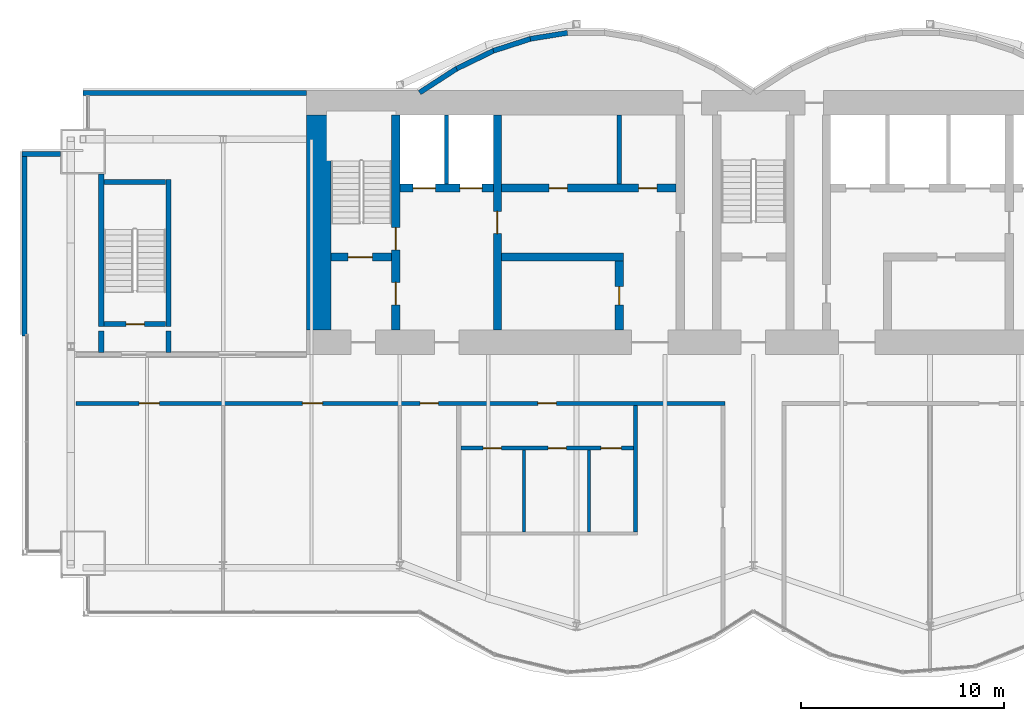
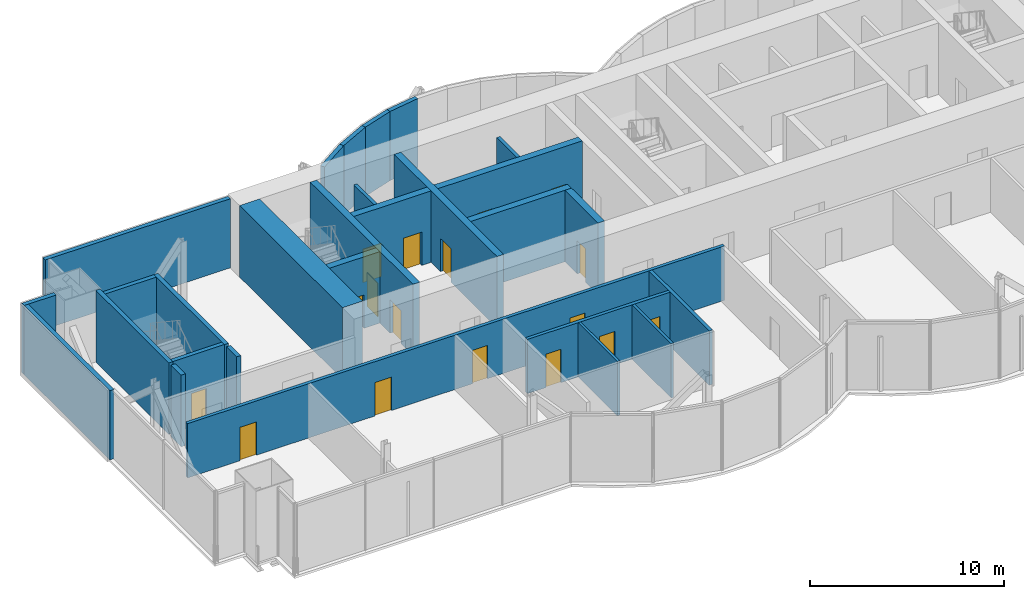
# One storey, part 11 of 17: 27 walls, 17 doors, 17 openings.
"""IFC4 building model written with IfcOpenShell, lengths in metres."""

from ifc_helpers import new_model, si_unit, direction, frame, frame_2d, origin, place, context, subcontext, project, spatial, rectangle, extrude, material, layer, layer_set, layer_usage, type_object, element, fill, save


model = new_model("IFC4")

# Units and contexts
model_context = context("Model", 3, precision=1e-05, world=origin(), true_north=direction((0.0, 1.0)))
body_context = subcontext(model_context, "Body", "Model", "MODEL_VIEW")
ifc_project = project(units=[si_unit("LENGTHUNIT", "METRE"), si_unit("AREAUNIT", "SQUARE_METRE"), si_unit("VOLUMEUNIT", "CUBIC_METRE"), si_unit("PLANEANGLEUNIT", "RADIAN"), si_unit("MASSUNIT", "GRAM", prefix="KILO")], contexts=[model_context])

# Site, building, storey
site_placement = place(None, origin())
site = spatial("IfcSite", under=ifc_project, at=site_placement, CompositionType="ELEMENT")
building_placement = place(site_placement, origin())
building = spatial("IfcBuilding", under=site, at=building_placement, Name="Bicima Exchange Tower", CompositionType="ELEMENT")
storey_placement = place(building_placement, frame((0.0, 0.0, 320.0)))
storey = spatial("IfcBuildingStorey", under=building, at=storey_placement, Name="L72", CompositionType="ELEMENT", Elevation=320.0)

# Wall
ifc_material_1 = material(Name="Gypsum board partition")
ifc_layer_1 = layer(ifc_material_1, 0.199951171875)
ifc_layer_set_1 = layer_set([ifc_layer_1], Name="Gypsum board partition")
wall_type_1 = type_object("IfcWallType", Name="Fire-rated gypsum partition 200 EI120", PredefinedType="PARTITIONING", material=ifc_layer_set_1)
wall_1_placement = place(storey_placement, frame((-15.10009765625, -4.60009765625, 0.0), z_axis=(0.0, 0.0, 1.0), x_axis=(0.0, 1.0, 0.0)))
element("IfcWall", 1, at=wall_1_placement, inside=storey, type_object=wall_type_1, Name="partition wall 9", PredefinedType="PARTITIONING", context=body_context, shape_type="SweptSolid", body=[
    extrude(rectangle(XDim=3.400146484375, YDim=0.199951171875, at=frame_2d((1.7001953125, 0.0))), origin(), (0.0, 0.0, 1.0), 3.418212890625),
])

# Wall, openings, doors
ifc_layer_2 = layer(ifc_material_1, 0.199951171875)
ifc_layer_set_2 = layer_set([ifc_layer_2], Name="Gypsum board partition")
wall_type_2 = type_object("IfcWallType", Name="Fire-rated gypsum partition 200 EI60", PredefinedType="PARTITIONING", material=ifc_layer_set_2)
wall_2_placement = place(storey_placement, frame((-14.39990234375, -17.60009765625, 0.0), z_axis=(0.0, 0.0, 1.0), x_axis=(1.0, 0.0, 0.0)))
wall_2 = element("IfcWall", 2, at=wall_2_placement, inside=storey, type_object=wall_type_2, Name="partition wall 2", PredefinedType="PARTITIONING", context=body_context, shape_type="SweptSolid", body=[
    extrude(rectangle(XDim=8.5, YDim=0.199951171875, at=frame_2d((4.25, 0.0))), origin(), (0.0, 0.0, 1.0), 3.418212890625),
])
opening_1_placement = place(wall_2_placement, frame((1.10009765625, 0.0, 0.0)))
opening_1 = element("IfcOpeningElement", 3, at=opening_1_placement, cuts=wall_2, Name="Opening L72-011", PredefinedType="OPENING", context=body_context, shape_type="SweptSolid", body=[
    extrude(rectangle(XDim=0.89990234375, YDim=2.10009765625, at=frame_2d((0.449951171875, 1.050048828125))), frame((0.0, 0.11181640625, 0.0), z_axis=(0.0, -1.0, 0.0), x_axis=(1.0, 0.0, 0.0)), (0.0, 0.0, 1.0), 0.223876953125),
])
opening_2_placement = place(wall_2_placement, frame((4.300048828125, 0.0, 0.0)))
opening_2 = element("IfcOpeningElement", 4, at=opening_2_placement, cuts=wall_2, Name="Opening L72-012", PredefinedType="OPENING", context=body_context, shape_type="SweptSolid", body=[
    extrude(rectangle(XDim=0.89990234375, YDim=2.10009765625, at=frame_2d((0.449951171875, 1.050048828125))), frame((0.0, 0.11181640625, 0.0), z_axis=(0.0, -1.0, 0.0), x_axis=(1.0, 0.0, 0.0)), (0.0, 0.0, 1.0), 0.223876953125),
])
opening_3_placement = place(wall_2_placement, frame((6.89990234375, 0.0, 0.0)))
opening_3 = element("IfcOpeningElement", 5, at=opening_3_placement, cuts=wall_2, Name="Opening L72-013", PredefinedType="OPENING", context=body_context, shape_type="SweptSolid", body=[
    extrude(rectangle(XDim=1.0, YDim=2.10009765625, at=frame_2d((0.5, 1.050048828125))), frame((0.0, 0.11181640625, 0.0), z_axis=(0.0, -1.0, 0.0), x_axis=(1.0, 0.0, 0.0)), (0.0, 0.0, 1.0), 0.223876953125),
])
ifc_material_2 = material(Name="Steel fire door leaf", Category="steel")
door_type_1 = type_object("IfcDoorType", Name="Door 1000 swing FD30S", OperationType="SINGLE_SWING_LEFT", PredefinedType="DOOR", material=ifc_material_2)
door_1_placement = place(opening_3_placement, frame((1.0, 0.0, 0.0), z_axis=(0.0, 0.0, 1.0), x_axis=(-1.0, 0.0, 0.0)))
door_1 = element("IfcDoor", 6, at=door_1_placement, inside=storey, type_object=door_type_1, Name="Door", OperationType="SINGLE_SWING_LEFT", OverallHeight=2.10009765625, OverallWidth=1.0, PredefinedType="DOOR", context=body_context, shape_type="SweptSolid", body=[
    extrude(rectangle(XDim=1.0, YDim=2.10009765625, at=frame_2d((0.5, 1.050048828125))), frame((0.0, 0.02490234375, 0.0), z_axis=(0.0, -1.0, 0.0), x_axis=(1.0, 0.0, 0.0)), (0.0, 0.0, 1.0), 0.050048828125),
])
fill(opening_3, door_1)
door_type_2 = type_object("IfcDoorType", Name="Door 900 swing FD30S", OperationType="SINGLE_SWING_LEFT", PredefinedType="DOOR", material=ifc_material_2)
door_2_placement = place(opening_1_placement, frame((0.89990234375, 0.0, 0.0), z_axis=(0.0, 0.0, 1.0), x_axis=(-1.0, 0.0, 0.0)))
door_2 = element("IfcDoor", 7, at=door_2_placement, inside=storey, type_object=door_type_2, Name="Door", OperationType="SINGLE_SWING_RIGHT", OverallHeight=2.10009765625, OverallWidth=0.89990234375, PredefinedType="DOOR", context=body_context, shape_type="SweptSolid", body=[
    extrude(rectangle(XDim=0.89990234375, YDim=2.10009765625, at=frame_2d((0.449951171875, 1.050048828125))), frame((0.0, 0.02490234375, 0.0), z_axis=(0.0, -1.0, 0.0), x_axis=(1.0, 0.0, 0.0)), (0.0, 0.0, 1.0), 0.050048828125),
])
fill(opening_1, door_2)
door_3_placement = place(opening_2_placement, frame((0.89990234375, 0.0, 0.0), z_axis=(0.0, 0.0, 1.0), x_axis=(-1.0, 0.0, 0.0)))
door_3 = element("IfcDoor", 8, at=door_3_placement, inside=storey, type_object=door_type_2, Name="Door", OperationType="SINGLE_SWING_RIGHT", OverallHeight=2.10009765625, OverallWidth=0.89990234375, PredefinedType="DOOR", context=body_context, shape_type="SweptSolid", body=[
    extrude(rectangle(XDim=0.89990234375, YDim=2.10009765625, at=frame_2d((0.449951171875, 1.050048828125))), frame((0.0, 0.02490234375, 0.0), z_axis=(0.0, -1.0, 0.0), x_axis=(1.0, 0.0, 0.0)), (0.0, 0.0, 1.0), 0.050048828125),
])
fill(opening_2, door_3)

wall_3_placement = place(storey_placement, frame((-33.340087890625, -15.39990234375, 0.0), z_axis=(0.0, 0.0, 1.0), x_axis=(1.0, 0.0, 0.0)))
wall_3 = element("IfcWall", 9, at=wall_3_placement, inside=storey, type_object=wall_type_2, Name="partition wall 3", PredefinedType="PARTITIONING", context=body_context, shape_type="SweptSolid", body=[
    extrude(rectangle(XDim=31.940185546875, YDim=0.199951171875, at=frame_2d((15.97021484375, 0.0))), origin(), (0.0, 0.0, 1.0), 3.418212890625),
])
opening_4_placement = place(wall_3_placement, frame((3.10009765625, 0.0, 0.0)))
opening_4 = element("IfcOpeningElement", 10, at=opening_4_placement, cuts=wall_3, Name="Opening L72-007", PredefinedType="OPENING", context=body_context, shape_type="SweptSolid", body=[
    extrude(rectangle(XDim=1.0, YDim=2.10009765625, at=frame_2d((0.5, 1.050048828125))), frame((0.0, 0.11181640625, 0.0), z_axis=(0.0, -1.0, 0.0), x_axis=(1.0, 0.0, 0.0)), (0.0, 0.0, 1.0), 0.223876953125),
])
opening_5_placement = place(wall_3_placement, frame((11.139892578125, 0.0, 0.0)))
opening_5 = element("IfcOpeningElement", 11, at=opening_5_placement, cuts=wall_3, Name="Opening L72-008", PredefinedType="OPENING", context=body_context, shape_type="SweptSolid", body=[
    extrude(rectangle(XDim=1.0, YDim=2.10009765625, at=frame_2d((0.5, 1.050048828125))), frame((0.0, 0.11181640625, 0.0), z_axis=(0.0, -1.0, 0.0), x_axis=(1.0, 0.0, 0.0)), (0.0, 0.0, 1.0), 0.223876953125),
])
opening_6_placement = place(wall_3_placement, frame((16.93994140625, 0.0, 0.0)))
opening_6 = element("IfcOpeningElement", 12, at=opening_6_placement, cuts=wall_3, Name="Opening L72-009", PredefinedType="OPENING", context=body_context, shape_type="SweptSolid", body=[
    extrude(rectangle(XDim=0.89990234375, YDim=2.10009765625, at=frame_2d((0.449951171875, 1.050048828125))), frame((0.0, 0.11181640625, 0.0), z_axis=(0.0, -1.0, 0.0), x_axis=(1.0, 0.0, 0.0)), (0.0, 0.0, 1.0), 0.223876953125),
])
opening_7_placement = place(wall_3_placement, frame((22.739990234375, 0.0, 0.0)))
opening_7 = element("IfcOpeningElement", 13, at=opening_7_placement, cuts=wall_3, Name="Opening L72-010", PredefinedType="OPENING", context=body_context, shape_type="SweptSolid", body=[
    extrude(rectangle(XDim=0.89990234375, YDim=2.10009765625, at=frame_2d((0.449951171875, 1.050048828125))), frame((0.0, 0.11181640625, 0.0), z_axis=(0.0, -1.0, 0.0), x_axis=(1.0, 0.0, 0.0)), (0.0, 0.0, 1.0), 0.223876953125),
])
door_4_placement = place(opening_4_placement, frame((1.0, 0.0, 0.0), z_axis=(0.0, 0.0, 1.0), x_axis=(-1.0, 0.0, 0.0)))
door_4 = element("IfcDoor", 14, at=door_4_placement, inside=storey, type_object=door_type_1, Name="Door", OperationType="SINGLE_SWING_LEFT", OverallHeight=2.10009765625, OverallWidth=1.0, PredefinedType="DOOR", context=body_context, shape_type="SweptSolid", body=[
    extrude(rectangle(XDim=1.0, YDim=2.10009765625, at=frame_2d((0.5, 1.050048828125))), frame((0.0, 0.02490234375, 0.0), z_axis=(0.0, -1.0, 0.0), x_axis=(1.0, 0.0, 0.0)), (0.0, 0.0, 1.0), 0.050048828125),
])
fill(opening_4, door_4)
door_5_placement = place(opening_5_placement, frame((1.0, 0.0, 0.0), z_axis=(0.0, 0.0, 1.0), x_axis=(-1.0, 0.0, 0.0)))
door_5 = element("IfcDoor", 15, at=door_5_placement, inside=storey, type_object=door_type_1, Name="Door", OperationType="SINGLE_SWING_RIGHT", OverallHeight=2.10009765625, OverallWidth=1.0, PredefinedType="DOOR", context=body_context, shape_type="SweptSolid", body=[
    extrude(rectangle(XDim=1.0, YDim=2.10009765625, at=frame_2d((0.5, 1.050048828125))), frame((0.0, 0.02490234375, 0.0), z_axis=(0.0, -1.0, 0.0), x_axis=(1.0, 0.0, 0.0)), (0.0, 0.0, 1.0), 0.050048828125),
])
fill(opening_5, door_5)
door_6_placement = place(opening_6_placement, frame((0.89990234375, 0.0, 0.0), z_axis=(0.0, 0.0, 1.0), x_axis=(-1.0, 0.0, 0.0)))
door_6 = element("IfcDoor", 16, at=door_6_placement, inside=storey, type_object=door_type_2, Name="Door", OperationType="SINGLE_SWING_RIGHT", OverallHeight=2.10009765625, OverallWidth=0.89990234375, PredefinedType="DOOR", context=body_context, shape_type="SweptSolid", body=[
    extrude(rectangle(XDim=0.89990234375, YDim=2.10009765625, at=frame_2d((0.449951171875, 1.050048828125))), frame((0.0, 0.02490234375, 0.0), z_axis=(0.0, -1.0, 0.0), x_axis=(1.0, 0.0, 0.0)), (0.0, 0.0, 1.0), 0.050048828125),
])
fill(opening_6, door_6)
door_7_placement = place(opening_7_placement, frame((0.89990234375, 0.0, 0.0), z_axis=(0.0, 0.0, 1.0), x_axis=(-1.0, 0.0, 0.0)))
door_7 = element("IfcDoor", 17, at=door_7_placement, inside=storey, type_object=door_type_2, Name="Door", OperationType="SINGLE_SWING_LEFT", OverallHeight=2.10009765625, OverallWidth=0.89990234375, PredefinedType="DOOR", context=body_context, shape_type="SweptSolid", body=[
    extrude(rectangle(XDim=0.89990234375, YDim=2.10009765625, at=frame_2d((0.449951171875, 1.050048828125))), frame((0.0, 0.02490234375, 0.0), z_axis=(0.0, -1.0, 0.0), x_axis=(1.0, 0.0, 0.0)), (0.0, 0.0, 1.0), 0.050048828125),
])
fill(opening_7, door_7)

# Walls
wall_4_placement = place(storey_placement, frame((-5.800048828125, -21.72509765625, 0.0), z_axis=(0.0, 0.0, 1.0), x_axis=(0.0, 1.0, 0.0)))
element("IfcWall", 18, at=wall_4_placement, inside=storey, type_object=wall_type_2, Name="partition wall 18", PredefinedType="PARTITIONING", context=body_context, shape_type="SweptSolid", body=[
    extrude(rectangle(XDim=6.22509765625, YDim=0.199951171875, at=frame_2d((3.112548828125, 0.0))), origin(), (0.0, 0.0, 1.0), 3.418212890625),
])
wall_5_placement = place(storey_placement, frame((-6.60009765625, -4.60009765625, 0.0), z_axis=(0.0, 0.0, 1.0), x_axis=(0.0, 1.0, 0.0)))
element("IfcWall", 19, at=wall_5_placement, inside=storey, type_object=wall_type_2, Name="partition wall 12", PredefinedType="PARTITIONING", context=body_context, shape_type="SweptSolid", body=[
    extrude(rectangle(XDim=3.400146484375, YDim=0.199951171875, at=frame_2d((1.7001953125, 0.0))), origin(), (0.0, 0.0, 1.0), 3.418212890625),
])
ifc_layer_3 = layer(ifc_material_1, 0.14990234375)
ifc_layer_set_3 = layer_set([ifc_layer_3], Name="Gypsum board partition")
wall_type_3 = type_object("IfcWallType", Name="Gypsum partition 150", PredefinedType="PARTITIONING", material=ifc_layer_set_3)
for number, where, z_axis, x_axis, name in (
    (20, (-11.300048828125, -21.72509765625, 0.0), (0.0, 0.0, 1.0), (0.0, 1.0, 0.0), "partition wall 16"),
    (21, (-8.10009765625, -21.72509765625, 0.0), (0.0, 0.0, 1.0), (0.0, 1.0, 0.0), "partition wall 17"),
):
    element("IfcWall", number, at=place(storey_placement, frame(where, z_axis=z_axis, x_axis=x_axis)), inside=storey, type_object=wall_type_3, Name=name, PredefinedType="PARTITIONING", context=body_context, shape_type="SweptSolid", body=[
        extrude(rectangle(XDim=4.025146484375, YDim=0.14990234375, at=frame_2d((2.0126953125, 0.0))), origin(), (0.0, 0.0, 1.0), 3.418212890625),
    ])
ifc_material_3 = material(Name="Concrete C40/50", Category="concrete")
ifc_layer_4 = layer(ifc_material_3, 1.199951171875)
ifc_layer_set_4 = layer_set([ifc_layer_4], Name="Concrete C40/50")
wall_type_4 = type_object("IfcWallType", Name="RC core wall 1200 C40/50", PredefinedType="SHEAR", material=ifc_layer_set_4)
wall_6_placement = place(storey_placement, frame((-21.39990234375, -11.800048828125, 0.0), z_axis=(0.0, 0.0, 1.0), x_axis=(0.0, 1.0, 0.0)))
element("IfcWall", 22, at=wall_6_placement, inside=storey, type_object=wall_type_4, Name="Core wall west", PredefinedType="SHEAR", context=body_context, shape_type="SweptSolid", body=[
    extrude(rectangle(XDim=10.60009765625, YDim=1.199951171875, at=frame_2d((5.300048828125, 0.0))), origin(), (0.0, 0.0, 1.0), 4.5),
])
ifc_material_4 = material(Name="Concrete C50/60", Category="concrete")
ifc_layer_5 = layer(ifc_material_4, 0.25)
ifc_layer_set_5 = layer_set([ifc_layer_5], Name="Concrete C50/60")
wall_type_5 = type_object("IfcWallType", Name="RC core wall 250 C50/60", PredefinedType="SHEAR", material=ifc_layer_set_5)
for number, where, z_axis, x_axis, name in (
    (23, (-32.10009765625, -12.89990234375, 0.0), (0.0, 0.0, 1.0), (0.0, 1.0, 0.0), "stair wall 11"),
    (24, (-28.800048828125, -12.89990234375, 0.0), (0.0, 0.0, 1.0), (0.0, 1.0, 0.0), "stair wall 12"),
):
    element("IfcWall", number, at=place(storey_placement, frame(where, z_axis=z_axis, x_axis=x_axis)), inside=storey, type_object=wall_type_5, Name=name, PredefinedType="SHEAR", context=body_context, shape_type="SweptSolid", body=[
        extrude(rectangle(XDim=1.0498046875, YDim=0.25, at=frame_2d((0.52490234375, 0.0))), origin(), (0.0, 0.0, 1.0), 4.5),
    ])
ifc_layer_6 = layer(ifc_material_3, 0.39990234375)
ifc_layer_set_6 = layer_set([ifc_layer_6], Name="Concrete C40/50")
wall_type_6 = type_object("IfcWallType", Name="RC core wall 400 C40/50", PredefinedType="SHEAR", material=ifc_layer_set_6)
wall_7_placement = place(storey_placement, frame((-12.39990234375, -8.199951171875, 0.0), z_axis=(0.0, 0.0, 1.0), x_axis=(1.0, 0.0, 0.0)))
element("IfcWall", 25, at=wall_7_placement, inside=storey, type_object=wall_type_6, Name="shear wall 2", PredefinedType="SHEAR", context=body_context, shape_type="SweptSolid", body=[
    extrude(rectangle(XDim=6.0, YDim=0.39990234375, at=frame_2d((3.0, 0.0))), origin(), (0.0, 0.0, 1.0), 4.5),
])

# Wall, openings, doors
wall_8_placement = place(storey_placement, frame((-17.39990234375, -4.800048828125, 0.0), z_axis=(0.0, 0.0, 1.0), x_axis=(1.0, 0.0, 0.0)))
wall_8 = element("IfcWall", 26, at=wall_8_placement, inside=storey, type_object=wall_type_6, Name="shear wall 6", PredefinedType="SHEAR", context=body_context, shape_type="SweptSolid", body=[
    extrude(rectangle(XDim=13.599853515625, YDim=0.39990234375, at=frame_2d((6.7998046875, 0.0))), origin(), (0.0, 0.0, 1.0), 4.5),
])
opening_8_placement = place(wall_8_placement, frame((0.64990234375, 0.0, 0.0)))
opening_8 = element("IfcOpeningElement", 27, at=opening_8_placement, cuts=wall_8, Name="Opening LD-FF1-L72", PredefinedType="OPENING", context=body_context, shape_type="SweptSolid", body=[
    extrude(rectangle(XDim=1.10009765625, YDim=2.10009765625, at=frame_2d((0.550048828125, 1.050048828125))), frame((0.0, 0.2119140625, 0.0), z_axis=(0.0, -1.0, 0.0), x_axis=(1.0, 0.0, 0.0)), (0.0, 0.0, 1.0), 0.423828125),
])
opening_9_placement = place(wall_8_placement, frame((2.949951171875, 0.0, 0.0)))
opening_9 = element("IfcOpeningElement", 28, at=opening_9_placement, cuts=wall_8, Name="Opening LD-FF3-L72", PredefinedType="OPENING", context=body_context, shape_type="SweptSolid", body=[
    extrude(rectangle(XDim=1.10009765625, YDim=2.10009765625, at=frame_2d((0.550048828125, 1.050048828125))), frame((0.0, 0.2119140625, 0.0), z_axis=(0.0, -1.0, 0.0), x_axis=(1.0, 0.0, 0.0)), (0.0, 0.0, 1.0), 0.423828125),
])
opening_10_placement = place(wall_8_placement, frame((7.35009765625, 0.0, 0.0)))
opening_10 = element("IfcOpeningElement", 29, at=opening_10_placement, cuts=wall_8, Name="Opening L72-C12", PredefinedType="OPENING", context=body_context, shape_type="SweptSolid", body=[
    extrude(rectangle(XDim=0.89990234375, YDim=2.10009765625, at=frame_2d((0.449951171875, 1.050048828125))), frame((0.0, 0.2119140625, 0.0), z_axis=(0.0, -1.0, 0.0), x_axis=(1.0, 0.0, 0.0)), (0.0, 0.0, 1.0), 0.423828125),
])
opening_11_placement = place(wall_8_placement, frame((11.75, 0.0, 0.0)))
opening_11 = element("IfcOpeningElement", 30, at=opening_11_placement, cuts=wall_8, Name="Opening L72-C13", PredefinedType="OPENING", context=body_context, shape_type="SweptSolid", body=[
    extrude(rectangle(XDim=0.89990234375, YDim=2.10009765625, at=frame_2d((0.449951171875, 1.050048828125))), frame((0.0, 0.2119140625, 0.0), z_axis=(0.0, -1.0, 0.0), x_axis=(1.0, 0.0, 0.0)), (0.0, 0.0, 1.0), 0.423828125),
])
door_8_placement = place(opening_10_placement, origin())
door_8 = element("IfcDoor", 31, at=door_8_placement, inside=storey, type_object=door_type_2, Name="Core door", OperationType="SINGLE_SWING_RIGHT", OverallHeight=2.10009765625, OverallWidth=0.89990234375, PredefinedType="DOOR", context=body_context, shape_type="SweptSolid", body=[
    extrude(rectangle(XDim=0.89990234375, YDim=2.10009765625, at=frame_2d((0.449951171875, 1.050048828125))), frame((0.0, 0.02490234375, 0.0), z_axis=(0.0, -1.0, 0.0), x_axis=(1.0, 0.0, 0.0)), (0.0, 0.0, 1.0), 0.050048828125),
])
fill(opening_10, door_8)
door_9_placement = place(opening_11_placement, origin())
door_9 = element("IfcDoor", 32, at=door_9_placement, inside=storey, type_object=door_type_2, Name="Core door", OperationType="SINGLE_SWING_LEFT", OverallHeight=2.10009765625, OverallWidth=0.89990234375, PredefinedType="DOOR", context=body_context, shape_type="SweptSolid", body=[
    extrude(rectangle(XDim=0.89990234375, YDim=2.10009765625, at=frame_2d((0.449951171875, 1.050048828125))), frame((0.0, 0.02490234375, 0.0), z_axis=(0.0, -1.0, 0.0), x_axis=(1.0, 0.0, 0.0)), (0.0, 0.0, 1.0), 0.050048828125),
])
fill(opening_11, door_9)
ifc_material_5 = material(Name="Stainless steel", Category="steel")
door_type_3 = type_object("IfcDoorType", Name="Lift landing door 1100 sliding", OperationType="DOUBLE_DOOR_SLIDING", PredefinedType="DOOR", material=ifc_material_5)
door_10_placement = place(opening_8_placement, origin())
door_10 = element("IfcDoor", 33, at=door_10_placement, inside=storey, type_object=door_type_3, Name="Lift landing door FF1", OperationType="DOUBLE_DOOR_SLIDING", OverallHeight=2.10009765625, OverallWidth=1.10009765625, PredefinedType="DOOR", context=body_context, shape_type="SweptSolid", body=[
    extrude(rectangle(XDim=1.10009765625, YDim=2.10009765625, at=frame_2d((0.550048828125, 1.050048828125))), frame((0.0, 0.02490234375, 0.0), z_axis=(0.0, -1.0, 0.0), x_axis=(1.0, 0.0, 0.0)), (0.0, 0.0, 1.0), 0.050048828125),
])
fill(opening_8, door_10)
door_11_placement = place(opening_9_placement, origin())
door_11 = element("IfcDoor", 34, at=door_11_placement, inside=storey, type_object=door_type_3, Name="Lift landing door FF3", OperationType="DOUBLE_DOOR_SLIDING", OverallHeight=2.10009765625, OverallWidth=1.10009765625, PredefinedType="DOOR", context=body_context, shape_type="SweptSolid", body=[
    extrude(rectangle(XDim=1.10009765625, YDim=2.10009765625, at=frame_2d((0.550048828125, 1.050048828125))), frame((0.0, 0.02490234375, 0.0), z_axis=(0.0, -1.0, 0.0), x_axis=(1.0, 0.0, 0.0)), (0.0, 0.0, 1.0), 0.050048828125),
])
fill(opening_9, door_11)

# Wall, opening, door
wall_9_placement = place(storey_placement, frame((-12.60009765625, -11.800048828125, 0.0), z_axis=(0.0, 0.0, 1.0), x_axis=(0.0, 1.0, 0.0)))
wall_9 = element("IfcWall", 35, at=wall_9_placement, inside=storey, type_object=wall_type_6, Name="shear wall 10", PredefinedType="SHEAR", context=body_context, shape_type="SweptSolid", body=[
    extrude(rectangle(XDim=10.60009765625, YDim=0.39990234375, at=frame_2d((5.300048828125, 0.0))), origin(), (0.0, 0.0, 1.0), 4.5),
])
opening_12_placement = place(wall_9_placement, frame((4.75, 0.0, 0.0)))
opening_12 = element("IfcOpeningElement", 36, at=opening_12_placement, cuts=wall_9, Name="Opening L72-C07", PredefinedType="OPENING", context=body_context, shape_type="SweptSolid", body=[
    extrude(rectangle(XDim=1.10009765625, YDim=2.10009765625, at=frame_2d((0.550048828125, 1.050048828125))), frame((0.0, 0.2119140625, 0.0), z_axis=(0.0, -1.0, 0.0), x_axis=(1.0, 0.0, 0.0)), (0.0, 0.0, 1.0), 0.423828125),
])
door_type_4 = type_object("IfcDoorType", Name="Door 1100 swing FD60S", OperationType="SINGLE_SWING_LEFT", PredefinedType="DOOR", material=ifc_material_2)
door_12_placement = place(opening_12_placement, origin())
door_12 = element("IfcDoor", 37, at=door_12_placement, inside=storey, type_object=door_type_4, Name="Core door", OperationType="SINGLE_SWING_LEFT", OverallHeight=2.10009765625, OverallWidth=1.10009765625, PredefinedType="DOOR", context=body_context, shape_type="SweptSolid", body=[
    extrude(rectangle(XDim=1.10009765625, YDim=2.10009765625, at=frame_2d((0.550048828125, 1.050048828125))), frame((0.0, 0.02490234375, 0.0), z_axis=(0.0, -1.0, 0.0), x_axis=(1.0, 0.0, 0.0)), (0.0, 0.0, 1.0), 0.050048828125),
])
fill(opening_12, door_12)

wall_10_placement = place(storey_placement, frame((-6.60009765625, -11.800048828125, 0.0), z_axis=(0.0, 0.0, 1.0), x_axis=(0.0, 1.0, 0.0)))
wall_10 = element("IfcWall", 38, at=wall_10_placement, inside=storey, type_object=wall_type_6, Name="shear wall 11", PredefinedType="SHEAR", context=body_context, shape_type="SweptSolid", body=[
    extrude(rectangle(XDim=3.400146484375, YDim=0.39990234375, at=frame_2d((1.7001953125, 0.0))), origin(), (0.0, 0.0, 1.0), 4.5),
])
opening_13_placement = place(wall_10_placement, frame((1.25, 0.0, 0.0)))
opening_13 = element("IfcOpeningElement", 39, at=opening_13_placement, cuts=wall_10, Name="Opening L72-C14", PredefinedType="OPENING", context=body_context, shape_type="SweptSolid", body=[
    extrude(rectangle(XDim=0.89990234375, YDim=2.10009765625, at=frame_2d((0.449951171875, 1.050048828125))), frame((0.0, 0.2119140625, 0.0), z_axis=(0.0, -1.0, 0.0), x_axis=(1.0, 0.0, 0.0)), (0.0, 0.0, 1.0), 0.423828125),
])
door_13_placement = place(opening_13_placement, origin())
door_13 = element("IfcDoor", 40, at=door_13_placement, inside=storey, type_object=door_type_2, Name="Core door", OperationType="SINGLE_SWING_RIGHT", OverallHeight=2.10009765625, OverallWidth=0.89990234375, PredefinedType="DOOR", context=body_context, shape_type="SweptSolid", body=[
    extrude(rectangle(XDim=0.89990234375, YDim=2.10009765625, at=frame_2d((0.449951171875, 1.050048828125))), frame((0.0, 0.02490234375, 0.0), z_axis=(0.0, -1.0, 0.0), x_axis=(1.0, 0.0, 0.0)), (0.0, 0.0, 1.0), 0.050048828125),
])
fill(opening_13, door_13)

ifc_layer_7 = layer(ifc_material_4, 0.39990234375)
ifc_layer_set_7 = layer_set([ifc_layer_7], Name="Concrete C50/60")
wall_type_7 = type_object("IfcWallType", Name="RC core wall 400 C50/60", PredefinedType="SHEAR", material=ifc_layer_set_7)
wall_11_placement = place(storey_placement, frame((-20.800048828125, -8.199951171875, 0.0), z_axis=(0.0, 0.0, 1.0), x_axis=(1.0, 0.0, 0.0)))
wall_11 = element("IfcWall", 41, at=wall_11_placement, inside=storey, type_object=wall_type_7, Name="stair wall 1", PredefinedType="SHEAR", context=body_context, shape_type="SweptSolid", body=[
    extrude(rectangle(XDim=3.0, YDim=0.39990234375, at=frame_2d((1.5, 0.0))), origin(), (0.0, 0.0, 1.0), 4.5),
])
opening_14_placement = place(wall_11_placement, frame((0.85009765625, 0.0, 0.0)))
opening_14 = element("IfcOpeningElement", 42, at=opening_14_placement, cuts=wall_11, Name="Opening L72-C01", PredefinedType="OPENING", context=body_context, shape_type="SweptSolid", body=[
    extrude(rectangle(XDim=1.199951171875, YDim=2.10009765625, at=frame_2d((0.60009765625, 1.050048828125))), frame((0.0, 0.2119140625, 0.0), z_axis=(0.0, -1.0, 0.0), x_axis=(1.0, 0.0, 0.0)), (0.0, 0.0, 1.0), 0.423828125),
])
door_type_5 = type_object("IfcDoorType", Name="Door 1200 swing FD60S", OperationType="SINGLE_SWING_LEFT", PredefinedType="DOOR", material=ifc_material_2)
door_14_placement = place(opening_14_placement, origin())
door_14 = element("IfcDoor", 43, at=door_14_placement, inside=storey, type_object=door_type_5, Name="Core door", OperationType="SINGLE_SWING_LEFT", OverallHeight=2.10009765625, OverallWidth=1.199951171875, PredefinedType="DOOR", context=body_context, shape_type="SweptSolid", body=[
    extrude(rectangle(XDim=1.199951171875, YDim=2.10009765625, at=frame_2d((0.60009765625, 1.050048828125))), frame((0.0, 0.02490234375, 0.0), z_axis=(0.0, -1.0, 0.0), x_axis=(1.0, 0.0, 0.0)), (0.0, 0.0, 1.0), 0.050048828125),
])
fill(opening_14, door_14)

# Wall, openings, doors
wall_12_placement = place(storey_placement, frame((-17.60009765625, -11.800048828125, 0.0), z_axis=(0.0, 0.0, 1.0), x_axis=(0.0, 1.0, 0.0)))
wall_12 = element("IfcWall", 44, at=wall_12_placement, inside=storey, type_object=wall_type_7, Name="stair wall 8", PredefinedType="SHEAR", context=body_context, shape_type="SweptSolid", body=[
    extrude(rectangle(XDim=10.60009765625, YDim=0.39990234375, at=frame_2d((5.300048828125, 0.0))), origin(), (0.0, 0.0, 1.0), 4.5),
])
opening_15_placement = place(wall_12_placement, frame((1.25, 0.0, 0.0)))
opening_15 = element("IfcOpeningElement", 45, at=opening_15_placement, cuts=wall_12, Name="Opening L72-C02", PredefinedType="OPENING", context=body_context, shape_type="SweptSolid", body=[
    extrude(rectangle(XDim=1.10009765625, YDim=2.10009765625, at=frame_2d((0.550048828125, 1.050048828125))), frame((0.0, 0.2119140625, 0.0), z_axis=(0.0, -1.0, 0.0), x_axis=(1.0, 0.0, 0.0)), (0.0, 0.0, 1.0), 0.423828125),
])
opening_16_placement = place(wall_12_placement, frame((3.949951171875, 0.0, 0.0)))
opening_16 = element("IfcOpeningElement", 46, at=opening_16_placement, cuts=wall_12, Name="Opening L72-C06", PredefinedType="OPENING", context=body_context, shape_type="SweptSolid", body=[
    extrude(rectangle(XDim=1.10009765625, YDim=2.10009765625, at=frame_2d((0.550048828125, 1.050048828125))), frame((0.0, 0.2119140625, 0.0), z_axis=(0.0, -1.0, 0.0), x_axis=(1.0, 0.0, 0.0)), (0.0, 0.0, 1.0), 0.423828125),
])
door_15_placement = place(opening_15_placement, frame((1.10009765625, 0.0, 0.0), z_axis=(0.0, 0.0, 1.0), x_axis=(-1.0, 0.0, 0.0)))
door_15 = element("IfcDoor", 47, at=door_15_placement, inside=storey, type_object=door_type_4, Name="Core door", OperationType="SINGLE_SWING_LEFT", OverallHeight=2.10009765625, OverallWidth=1.10009765625, PredefinedType="DOOR", context=body_context, shape_type="SweptSolid", body=[
    extrude(rectangle(XDim=1.10009765625, YDim=2.10009765625, at=frame_2d((0.550048828125, 1.050048828125))), frame((0.0, 0.02490234375, 0.0), z_axis=(0.0, -1.0, 0.0), x_axis=(1.0, 0.0, 0.0)), (0.0, 0.0, 1.0), 0.050048828125),
])
fill(opening_15, door_15)
door_16_placement = place(opening_16_placement, frame((1.10009765625, 0.0, 0.0), z_axis=(0.0, 0.0, 1.0), x_axis=(-1.0, 0.0, 0.0)))
door_16 = element("IfcDoor", 48, at=door_16_placement, inside=storey, type_object=door_type_4, Name="Core door", OperationType="SINGLE_SWING_LEFT", OverallHeight=2.10009765625, OverallWidth=1.10009765625, PredefinedType="DOOR", context=body_context, shape_type="SweptSolid", body=[
    extrude(rectangle(XDim=1.10009765625, YDim=2.10009765625, at=frame_2d((0.550048828125, 1.050048828125))), frame((0.0, 0.02490234375, 0.0), z_axis=(0.0, -1.0, 0.0), x_axis=(1.0, 0.0, 0.0)), (0.0, 0.0, 1.0), 0.050048828125),
])
fill(opening_16, door_16)

# Walls
ifc_layer_8 = layer(ifc_material_4, 0.25)
ifc_layer_set_8 = layer_set([ifc_layer_8], Name="Concrete C50/60")
wall_type_8 = type_object("IfcWallType", Name="RC stair enclosure wall 250 C50/60", PredefinedType="SHEAR", material=ifc_layer_set_8)
wall_13_placement = place(storey_placement, frame((-32.10009765625, -11.625, 0.0), z_axis=(0.0, 0.0, 1.0), x_axis=(0.0, 1.0, 0.0)))
element("IfcWall", 49, at=wall_13_placement, inside=storey, type_object=wall_type_8, Name="West end exit stair wall W", PredefinedType="SHEAR", context=body_context, shape_type="SweptSolid", body=[
    extrude(rectangle(XDim=7.52490234375, YDim=0.25, at=frame_2d((3.762451171875, 0.0))), origin(), (0.0, 0.0, 1.0), 4.5),
])
wall_14_placement = place(storey_placement, frame((-28.800048828125, -11.625, 0.0), z_axis=(0.0, 0.0, 1.0), x_axis=(0.0, 1.0, 0.0)))
element("IfcWall", 50, at=wall_14_placement, inside=storey, type_object=wall_type_8, Name="West end exit stair wall E", PredefinedType="SHEAR", context=body_context, shape_type="SweptSolid", body=[
    extrude(rectangle(XDim=7.25, YDim=0.25, at=frame_2d((3.625, 0.0))), origin(), (0.0, 0.0, 1.0), 4.5),
])

# Wall, opening, door
wall_15_placement = place(storey_placement, frame((-31.97509765625, -11.5, 0.0), z_axis=(0.0, 0.0, 1.0), x_axis=(1.0, 0.0, 0.0)))
wall_15 = element("IfcWall", 51, at=wall_15_placement, inside=storey, type_object=wall_type_8, Name="West end exit stair wall S", PredefinedType="SHEAR", context=body_context, shape_type="SweptSolid", body=[
    extrude(rectangle(XDim=3.050048828125, YDim=0.25, at=frame_2d((1.52490234375, 0.0))), origin(), (0.0, 0.0, 1.0), 4.5),
])
opening_17_placement = place(wall_15_placement, frame((1.10009765625, 0.0, 0.0)))
opening_17 = element("IfcOpeningElement", 52, at=opening_17_placement, cuts=wall_15, Name="Opening L72-002", PredefinedType="OPENING", context=body_context, shape_type="SweptSolid", body=[
    extrude(rectangle(XDim=0.89990234375, YDim=2.10009765625, at=frame_2d((0.449951171875, 1.050048828125))), frame((0.0, 0.136962890625, 0.0), z_axis=(0.0, -1.0, 0.0), x_axis=(1.0, 0.0, 0.0)), (0.0, 0.0, 1.0), 0.27392578125),
])
door_type_6 = type_object("IfcDoorType", Name="Door 900 swing FD60S", OperationType="SINGLE_SWING_LEFT", PredefinedType="DOOR", material=ifc_material_2)
door_17_placement = place(opening_17_placement, origin())
door_17 = element("IfcDoor", 53, at=door_17_placement, inside=storey, type_object=door_type_6, Name="Door", OperationType="SINGLE_SWING_LEFT", OverallHeight=2.10009765625, OverallWidth=0.89990234375, PredefinedType="DOOR", context=body_context, shape_type="SweptSolid", body=[
    extrude(rectangle(XDim=0.89990234375, YDim=2.10009765625, at=frame_2d((0.449951171875, 1.050048828125))), frame((0.0, 0.02490234375, 0.0), z_axis=(0.0, -1.0, 0.0), x_axis=(1.0, 0.0, 0.0)), (0.0, 0.0, 1.0), 0.050048828125),
])
fill(opening_17, door_17)

# Walls
wall_16_placement = place(storey_placement, frame((-31.97509765625, -4.5, 0.0), z_axis=(0.0, 0.0, 1.0), x_axis=(1.0, 0.0, 0.0)))
element("IfcWall", 54, at=wall_16_placement, inside=storey, type_object=wall_type_8, Name="West end exit stair wall N", PredefinedType="SHEAR", context=body_context, shape_type="SweptSolid", body=[
    extrude(rectangle(XDim=3.050048828125, YDim=0.25, at=frame_2d((1.52490234375, 0.0))), origin(), (0.0, 0.0, 1.0), 4.5),
])
ifc_layer_9 = layer(ifc_material_3, 0.25)
ifc_layer_set_9 = layer_set([ifc_layer_9], Name="Concrete C40/50")
ifc_layer_usage = layer_usage(ifc_layer_set_9, "AXIS2", "POSITIVE", -0.125)
wall_type_9 = type_object("IfcWallType", Name="Rear backup wall 250", PredefinedType="STANDARD", material=ifc_layer_set_9)
wall_17_placement = place(storey_placement, frame((-9.146728515625, 2.839599609375, 0.0), z_axis=(0.0, 0.0, 1.0), x_axis=(-0.987181718931, -0.159600293885, 0.0)))
element("IfcWall", 55, at=wall_17_placement, inside=storey, type_object=wall_type_9, material=ifc_layer_usage, Name="Rear backup wall L72 16", PredefinedType="STANDARD", context=body_context, shape_type="SweptSolid", body=[
    extrude(rectangle(XDim=1.857177734375, YDim=0.25, at=frame_2d((0.9287109375, 0.0))), origin(), (0.0, 0.0, 1.0), 4.35009765625),
])
wall_18_placement = place(storey_placement, frame((-10.961669921875, 2.5478515625, 0.0), z_axis=(0.0, 0.0, 1.0), x_axis=(-0.951495806175, -0.307661714928, 0.0)))
element("IfcWall", 56, at=wall_18_placement, inside=storey, type_object=wall_type_9, material=ifc_layer_usage, Name="Rear backup wall L72 17", PredefinedType="STANDARD", context=body_context, shape_type="SweptSolid", body=[
    extrude(rectangle(XDim=1.9267578125, YDim=0.25, at=frame_2d((0.96337890625, 0.0))), origin(), (0.0, 0.0, 1.0), 4.35009765625),
])
wall_19_placement = place(storey_placement, frame((-12.77880859375, 1.961669921875, 0.0), z_axis=(0.0, 0.0, 1.0), x_axis=(-0.89982408427, -0.436252928206, 0.0)))
element("IfcWall", 57, at=wall_19_placement, inside=storey, type_object=wall_type_9, material=ifc_layer_usage, Name="Rear backup wall L72 18", PredefinedType="STANDARD", context=body_context, shape_type="SweptSolid", body=[
    extrude(rectangle(XDim=2.03759765625, YDim=0.25, at=frame_2d((1.018798828125, 0.0))), origin(), (0.0, 0.0, 1.0), 4.35009765625),
])
wall_20_placement = place(storey_placement, frame((-14.598876953125, 1.080078125, 0.0), z_axis=(0.0, 0.0, 1.0), x_axis=(-0.83981312244, -0.542875602121, 0.0)))
element("IfcWall", 58, at=wall_20_placement, inside=storey, type_object=wall_type_9, material=ifc_layer_usage, Name="Rear backup wall L72 19", PredefinedType="STANDARD", context=body_context, shape_type="SweptSolid", body=[
    extrude(rectangle(XDim=2.182861328125, YDim=0.25, at=frame_2d((1.09130859375, 0.0))), origin(), (0.0, 0.0, 1.0), 4.35009765625),
])
wall_21_placement = place(storey_placement, frame((-22.0, -0.125, 0.0), z_axis=(0.0, 0.0, 1.0), x_axis=(-1.0, 0.0, 0.0)))
element("IfcWall", 59, at=wall_21_placement, inside=storey, type_object=wall_type_9, material=ifc_layer_usage, Name="Rear backup wall L72 20", PredefinedType="STANDARD", context=body_context, shape_type="SweptSolid", body=[
    extrude(rectangle(XDim=11.0, YDim=0.25, at=frame_2d((5.5, 0.0))), origin(), (0.0, 0.0, 1.0), 4.35009765625),
])
wall_22_placement = place(storey_placement, frame((-34.10009765625, -3.125, 0.0), z_axis=(0.0, 0.0, 1.0), x_axis=(-1.0, 0.0, 0.0)))
element("IfcWall", 60, at=wall_22_placement, inside=storey, type_object=wall_type_9, material=ifc_layer_usage, Name="Rear backup wall L72 22", PredefinedType="STANDARD", context=body_context, shape_type="SweptSolid", body=[
    extrude(rectangle(XDim=1.89990234375, YDim=0.25, at=frame_2d((0.949951171875, 0.0))), origin(), (0.0, 0.0, 1.0), 4.35009765625),
])
wall_23_placement = place(storey_placement, frame((-35.875, -3.0, 0.0), z_axis=(0.0, 0.0, 1.0), x_axis=(0.0, -1.0, 0.0)))
element("IfcWall", 61, at=wall_23_placement, inside=storey, type_object=wall_type_9, material=ifc_layer_usage, Name="Rear backup wall L72 23", PredefinedType="STANDARD", context=body_context, shape_type="SweptSolid", body=[
    extrude(rectangle(XDim=9.090087890625, YDim=0.25, at=frame_2d((4.544921875, 0.0))), origin(), (0.0, 0.0, 1.0), 4.35009765625),
])

save(model, "model.ifc")
